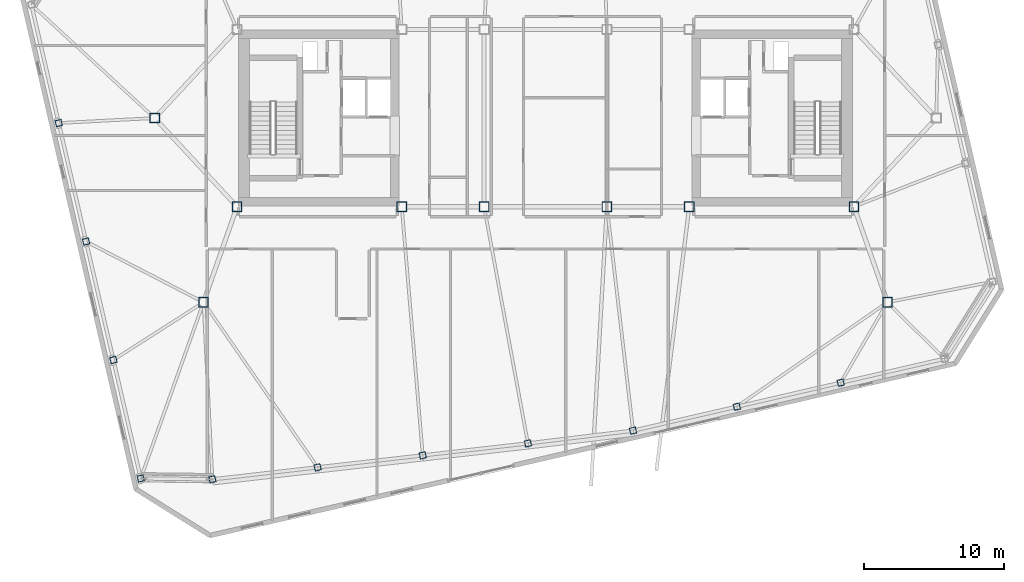
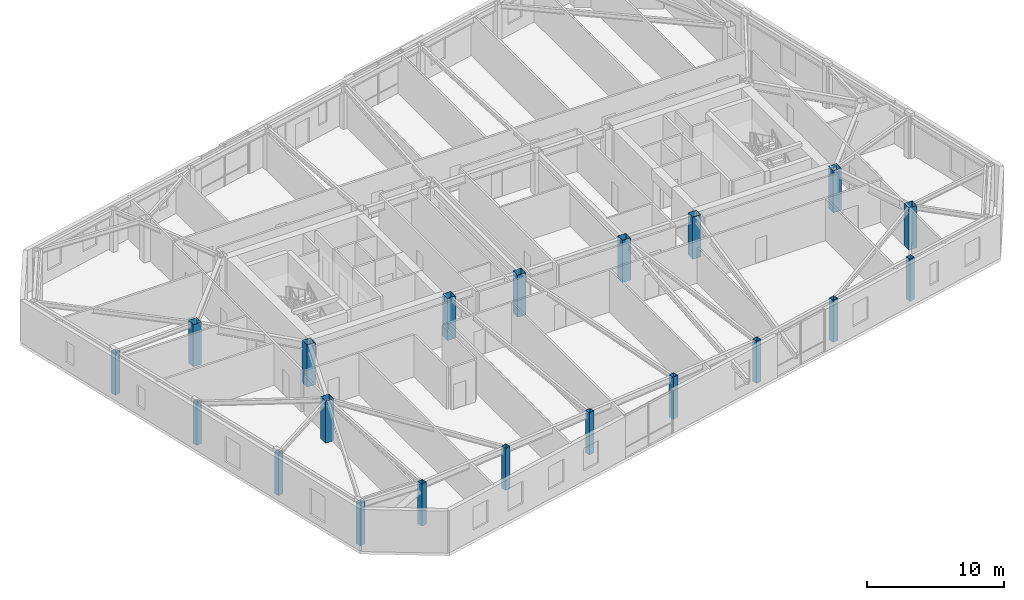
# One storey, part 1 of 24: 20 columns.
"""IFC4 building model written with IfcOpenShell, lengths in metres."""

from ifc_helpers import new_model, si_unit, direction, frame, origin, origin_2d, place, context, subcontext, project, spatial, hollow_rectangle, extrude, material, material_profile, profile_set, type_object, element, save


model = new_model("IFC4")

# Units and contexts
model_context = context("Model", 3, precision=1e-05, world=origin(), true_north=direction((0.0, 1.0)))
body_context = subcontext(model_context, "Body", "Model", "MODEL_VIEW")
ifc_project = project(units=[si_unit("LENGTHUNIT", "METRE"), si_unit("AREAUNIT", "SQUARE_METRE"), si_unit("VOLUMEUNIT", "CUBIC_METRE"), si_unit("PLANEANGLEUNIT", "RADIAN"), si_unit("MASSUNIT", "GRAM", prefix="KILO")], contexts=[model_context])

# Site, building, storey
site_placement = place(None, origin())
site = spatial("IfcSite", under=ifc_project, at=site_placement, CompositionType="ELEMENT")
building_placement = place(site_placement, origin())
building = spatial("IfcBuilding", under=site, at=building_placement, Name="Tavrogorsk Clinical Tower", CompositionType="ELEMENT")
storey_placement = place(building_placement, frame((0.0, 0.0, 321.0)))
storey = spatial("IfcBuildingStorey", under=building, at=storey_placement, Name="L75", CompositionType="ELEMENT", Elevation=321.0)

# Columns
ifc_material_1 = material(Name="Structural steel S440", Category="steel")
ifc_material_profile_1 = material_profile(ifc_material_1, hollow_rectangle(XDim=0.699951171875, YDim=0.699951171875, WallThickness=0.031982421875, at=origin_2d()), Name="BOX-700x700x32")
ifc_profile_set_1 = profile_set([ifc_material_profile_1], Name="Structural steel S440")
column_type_1 = type_object("IfcColumnType", Name="MegaCol_BOX700", PredefinedType="COLUMN", material=ifc_profile_set_1)
for number, where, z_axis, x_axis, name in (
    (1, (-22.10009765625, -6.35009765625, 0.0), (0.0, 0.0, 1.0), (1.0, 0.0, 0.0), "L75 Mega Column MC-W1"),
    (2, (-10.300048828125, -6.35009765625, 0.0), (0.0, 0.0, 1.0), (1.0, 0.0, 0.0), "L75 Mega Column MC-W3"),
    (3, (10.300048828125, -6.35009765625, 0.0), (0.0, 0.0, 1.0), (1.0, 0.0, 0.0), "L75 Mega Column MC-E1"),
    (4, (22.10009765625, -6.35009765625, 0.0), (0.0, 0.0, 1.0), (1.0, 0.0, 0.0), "L75 Mega Column MC-E3"),
    (5, (-4.39990234375, -6.35009765625, 0.0), (0.0, 0.0, 1.0), (1.0, 0.0, 0.0), "L75 Mega Column MC-C1"),
    (6, (4.39990234375, -6.35009765625, 0.0), (0.0, 0.0, 1.0), (1.0, 0.0, 0.0), "L75 Mega Column MC-C2"),
    (7, (-24.5, -13.199951171875, 0.0), (0.0, 0.0, 1.0), (1.0, 0.0, 0.0), "L75 Spine Pilotis Column MC-P1"),
    (8, (24.5, -13.199951171875, 0.0), (0.0, 0.0, 1.0), (1.0, 0.0, 0.0), "L75 Spine Pilotis Column MC-P2"),
    (9, (-28.0, 0.0, 0.0), (0.0, 0.0, 1.0), (1.0, 0.0, 0.0), "L75 Spine Pilotis Column MC-P5"),
):
    element("IfcColumn", number, at=place(storey_placement, frame(where, z_axis=z_axis, x_axis=x_axis)), inside=storey, type_object=column_type_1, Name=name, PredefinedType="COLUMN", context=body_context, shape_type="SweptSolid", body=[
        extrude(hollow_rectangle(XDim=0.699951171875, YDim=0.699951171875, WallThickness=0.031982421875, at=origin_2d()), origin(), (0.0, 0.0, 1.0), 3.739990234375),
    ])
ifc_material_2 = material(Name="Structural steel S440", Category="steel")
ifc_material_profile_2 = material_profile(ifc_material_2, hollow_rectangle(XDim=0.449951171875, YDim=0.449951171875, WallThickness=0.02197265625, at=origin_2d()), Name="BOX-450x450x22")
ifc_profile_set_2 = profile_set([ifc_material_profile_2], Name="Structural steel S440")
column_type_2 = type_object("IfcColumnType", Name="PerimCol_B5_BOX450", PredefinedType="COLUMN", material=ifc_profile_set_2)
for number, where, z_axis, x_axis, name in (
    (10, (-23.866943359375, -25.8857421875, 0.0), (0.0, 0.0, 1.0), (0.974370064785, 0.224951054344, 0.0), "L75 Perimeter Column S1"),
    (11, (-16.330322265625, -25.027099609375, 0.0), (0.0, 0.0, 1.0), (0.974370064785, 0.224951054344, 0.0), "L75 Perimeter Column S2"),
    (12, (-8.7939453125, -24.16845703125, 0.0), (0.0, 0.0, 1.0), (0.974370064785, 0.224951054344, 0.0), "L75 Perimeter Column S3"),
    (13, (-1.257568359375, -23.309814453125, 0.0), (0.0, 0.0, 1.0), (0.974370064785, 0.224951054344, 0.0), "L75 Perimeter Column S4"),
    (14, (6.272705078125, -22.39697265625, 0.0), (0.0, 0.0, 1.0), (0.974370064785, 0.224951054344, 0.0), "L75 Perimeter Column S5"),
    (15, (13.711181640625, -20.6796875, 0.0), (0.0, 0.0, 1.0), (0.974370064785, 0.224951054344, 0.0), "L75 Perimeter Column S6"),
    (16, (21.14990234375, -18.96240234375, 0.0), (0.0, 0.0, 1.0), (0.974370064785, 0.224951054344, 0.0), "L75 Perimeter Column S7"),
    (17, (-34.876708984375, -0.358642578125, 0.0), (0.0, 0.0, 1.0), (0.974370064785, 0.224951054344, 0.0), "L75 Perimeter Column W2"),
    (18, (-32.917236328125, -8.845458984375, 0.0), (0.0, 0.0, 1.0), (0.974370064785, 0.224951054344, 0.0), "L75 Perimeter Column W3"),
    (19, (-30.9580078125, -17.332275390625, 0.0), (0.0, 0.0, 1.0), (0.974370064785, 0.224951054344, 0.0), "L75 Perimeter Column W4"),
    (20, (-28.99853515625, -25.819091796875, 0.0), (0.0, 0.0, 1.0), (0.974370064785, 0.224951054344, 0.0), "L75 Perimeter Column W5"),
):
    element("IfcColumn", number, at=place(storey_placement, frame(where, z_axis=z_axis, x_axis=x_axis)), inside=storey, type_object=column_type_2, Name=name, PredefinedType="COLUMN", context=body_context, shape_type="SweptSolid", body=[
        extrude(hollow_rectangle(XDim=0.449951171875, YDim=0.449951171875, WallThickness=0.02197265625, at=origin_2d()), origin(), (0.0, 0.0, 1.0), 3.739990234375),
    ])

save(model, "model.ifc")
